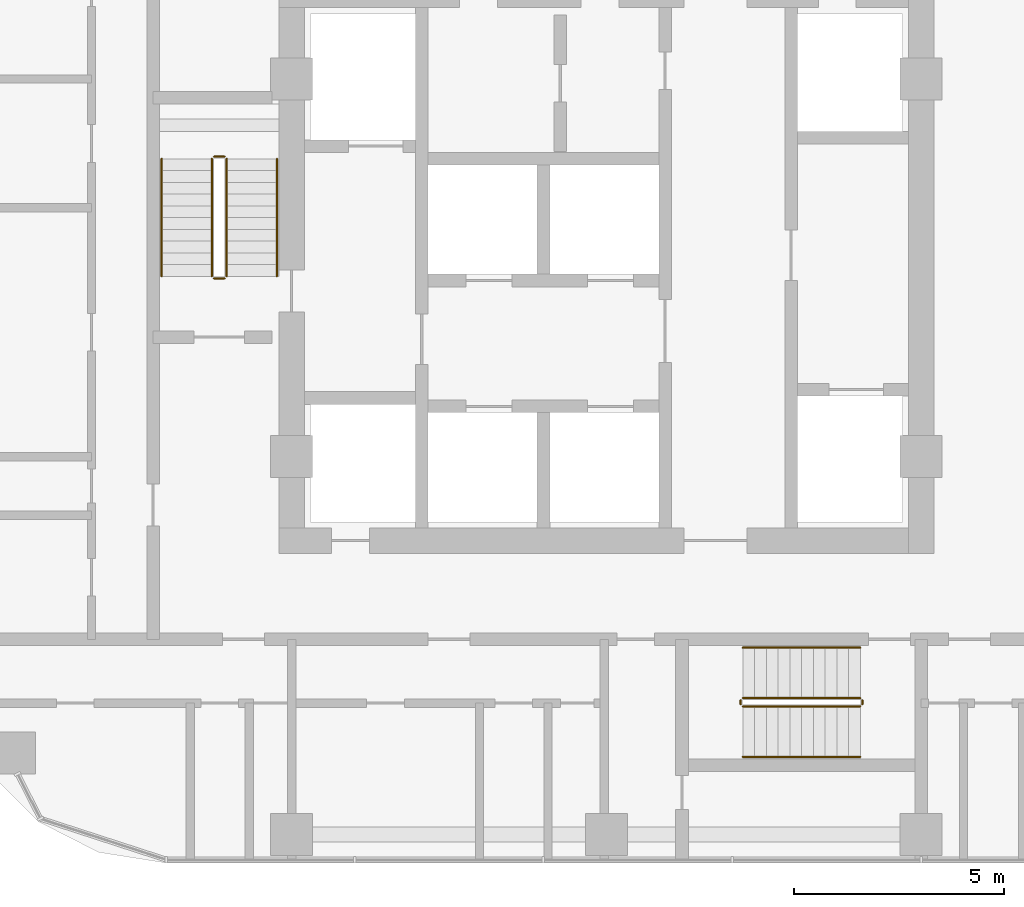
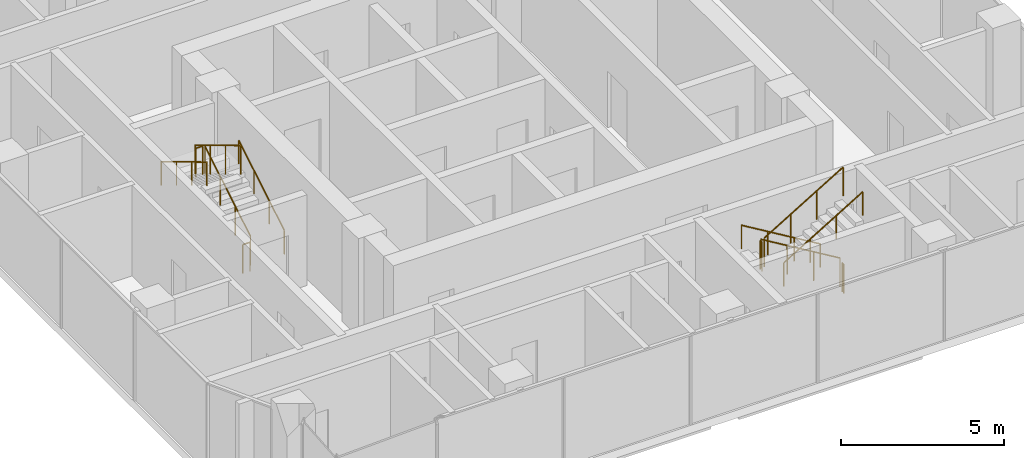
# One storey, part 31 of 31: 12 railings.
"""IFC4 building model written with IfcOpenShell, lengths in metres."""

from ifc_helpers import new_model, si_unit, direction, frame, origin, origin_2d, place, context, subcontext, project, spatial, circle, extrude, material, type_object, element, save


model = new_model("IFC4")

# Units and contexts
model_context = context("Model", 3, precision=1e-05, world=origin(), true_north=direction((0.0, 1.0)))
body_context = subcontext(model_context, "Body", "Model", "MODEL_VIEW")
ifc_project = project(units=[si_unit("LENGTHUNIT", "METRE"), si_unit("AREAUNIT", "SQUARE_METRE"), si_unit("VOLUMEUNIT", "CUBIC_METRE"), si_unit("PLANEANGLEUNIT", "RADIAN"), si_unit("MASSUNIT", "GRAM", prefix="KILO")], contexts=[model_context])

# Site, building, storey
site_placement = place(None, origin())
site = spatial("IfcSite", under=ifc_project, at=site_placement, CompositionType="ELEMENT")
building_placement = place(site_placement, origin())
building = spatial("IfcBuilding", under=site, at=building_placement, Name="Ogive Portal Towers", CompositionType="ELEMENT")
storey_placement = place(building_placement, frame((0.0, 0.0, 40.89990234375)))
storey = spatial("IfcBuildingStorey", under=building, at=storey_placement, Name="L08", CompositionType="ELEMENT", Elevation=40.89990234375)

# Railings
ifc_material_1 = material(Name="Stainless steel balustrade", Category="steel")
railing_type_1 = type_object("IfcRailingType", Name="INT-GUARD", PredefinedType="GUARDRAIL", material=ifc_material_1)
railing_1_placement = place(storey_placement, frame((127.449951171875, 30.800048828125, 0.168212890625)))
element("IfcRailing", 1, at=railing_1_placement, inside=storey, type_object=railing_type_1, Name="L08 ST-B1 stair guard 1", PredefinedType="GUARDRAIL", context=body_context, shape_type="SweptSolid", body=[
    extrude(circle(Radius=0.02392578125, at=origin_2d()), frame((0.0, 0.0, 1.076171875), z_axis=(0.0, 0.857242210791, 0.514913383045), x_axis=(-1.0, 0.0, 0.0)), (0.0, 0.0, 1.0), 3.266357421875),
    extrude(circle(Radius=0.02099609375, at=origin_2d()), origin(), (0.0, 0.0, 1.0), 1.052001953125),
    extrude(circle(Radius=0.02099609375, at=origin_2d()), frame((0.0, 0.933349609375, 0.560546875)), (0.0, 0.0, 1.0), 1.052001953125),
    extrude(circle(Radius=0.02099609375, at=origin_2d()), frame((0.0, 1.86669921875, 1.121337890625)), (0.0, 0.0, 1.0), 1.052001953125),
    extrude(circle(Radius=0.02099609375, at=origin_2d()), frame((0.0, 2.800048828125, 1.681884765625)), (0.0, 0.0, 1.0), 1.052001953125),
])
railing_2_placement = place(storey_placement, frame((127.39990234375, 33.64990234375, 1.85009765625)))
element("IfcRailing", 2, at=railing_2_placement, inside=storey, type_object=railing_type_1, Name="L08 ST-B1 stair guard 2", PredefinedType="GUARDRAIL", context=body_context, shape_type="SweptSolid", body=[
    extrude(circle(Radius=0.02392578125, at=origin_2d()), frame((0.0, 0.0, 1.076171875), z_axis=(-1.0, 0.0, 0.0), x_axis=(0.0, -1.0, 0.0)), (0.0, 0.0, 1.0), 0.25),
    extrude(circle(Radius=0.02099609375, at=origin_2d()), origin(), (0.0, 0.0, 1.0), 1.052001953125),
    extrude(circle(Radius=0.02099609375, at=origin_2d()), frame((-0.25, 0.0, 0.0)), (0.0, 0.0, 1.0), 1.052001953125),
])
railing_3_placement = place(storey_placement, frame((127.10009765625, 33.60009765625, 2.018310546875)))
element("IfcRailing", 3, at=railing_3_placement, inside=storey, type_object=railing_type_1, Name="L08 ST-B1 stair guard 3", PredefinedType="GUARDRAIL", context=body_context, shape_type="SweptSolid", body=[
    extrude(circle(Radius=0.02392578125, at=origin_2d()), frame((0.0, 0.0, 1.076171875), z_axis=(0.0, -0.857242210791, 0.514913383045), x_axis=(1.0, 0.0, 0.0)), (0.0, 0.0, 1.0), 3.266357421875),
    extrude(circle(Radius=0.02099609375, at=origin_2d()), origin(), (0.0, 0.0, 1.0), 1.052001953125),
    extrude(circle(Radius=0.02099609375, at=origin_2d()), frame((0.0, -0.933349609375, 0.560546875)), (0.0, 0.0, 1.0), 1.052001953125),
    extrude(circle(Radius=0.02099609375, at=origin_2d()), frame((0.0, -1.86669921875, 1.121337890625)), (0.0, 0.0, 1.0), 1.052001953125),
    extrude(circle(Radius=0.02099609375, at=origin_2d()), frame((0.0, -2.800048828125, 1.681884765625)), (0.0, 0.0, 1.0), 1.052001953125),
])
railing_4_placement = place(storey_placement, frame((127.39990234375, 30.75, 0.0)))
element("IfcRailing", 4, at=railing_4_placement, inside=storey, type_object=railing_type_1, Name="L08 ST-B1 stair guard 4", PredefinedType="GUARDRAIL", context=body_context, shape_type="SweptSolid", body=[
    extrude(circle(Radius=0.02392578125, at=origin_2d()), frame((0.0, 0.0, 1.076171875), z_axis=(-1.0, 0.0, 0.0), x_axis=(0.0, -1.0, 0.0)), (0.0, 0.0, 1.0), 0.25),
    extrude(circle(Radius=0.02099609375, at=origin_2d()), origin(), (0.0, 0.0, 1.0), 1.052001953125),
    extrude(circle(Radius=0.02099609375, at=origin_2d()), frame((-0.25, 0.0, 0.0)), (0.0, 0.0, 1.0), 1.052001953125),
])
railing_5_placement = place(storey_placement, frame((142.550048828125, 20.75, 0.168212890625)))
element("IfcRailing", 5, at=railing_5_placement, inside=storey, type_object=railing_type_1, Name="L08 ST-B2 stair guard 1", PredefinedType="GUARDRAIL", context=body_context, shape_type="SweptSolid", body=[
    extrude(circle(Radius=0.02392578125, at=origin_2d()), frame((0.0, 0.0, 1.076171875), z_axis=(-0.857242210791, 0.0, 0.514913383045), x_axis=(0.0, -1.0, 0.0)), (0.0, 0.0, 1.0), 3.266357421875),
    extrude(circle(Radius=0.02099609375, at=origin_2d()), origin(), (0.0, 0.0, 1.0), 1.052001953125),
    extrude(circle(Radius=0.02099609375, at=origin_2d()), frame((-0.933349609375, 0.0, 0.560546875)), (0.0, 0.0, 1.0), 1.052001953125),
    extrude(circle(Radius=0.02099609375, at=origin_2d()), frame((-1.86669921875, 0.0, 1.121337890625)), (0.0, 0.0, 1.0), 1.052001953125),
    extrude(circle(Radius=0.02099609375, at=origin_2d()), frame((-2.800048828125, 0.0, 1.681884765625)), (0.0, 0.0, 1.0), 1.052001953125),
])
railing_6_placement = place(storey_placement, frame((139.699951171875, 20.699951171875, 1.85009765625)))
element("IfcRailing", 6, at=railing_6_placement, inside=storey, type_object=railing_type_1, Name="L08 ST-B2 stair guard 2", PredefinedType="GUARDRAIL", context=body_context, shape_type="SweptSolid", body=[
    extrude(circle(Radius=0.02392578125, at=origin_2d()), frame((0.0, 0.0, 1.076171875), z_axis=(0.0, -1.0, 0.0), x_axis=(1.0, 0.0, 0.0)), (0.0, 0.0, 1.0), 0.099853515625),
    extrude(circle(Radius=0.02099609375, at=origin_2d()), origin(), (0.0, 0.0, 1.0), 1.052001953125),
    extrude(circle(Radius=0.02099609375, at=origin_2d()), frame((0.0, -0.099853515625, 0.0)), (0.0, 0.0, 1.0), 1.052001953125),
])
railing_7_placement = place(storey_placement, frame((139.75, 20.550048828125, 2.018310546875)))
element("IfcRailing", 7, at=railing_7_placement, inside=storey, type_object=railing_type_1, Name="L08 ST-B2 stair guard 3", PredefinedType="GUARDRAIL", context=body_context, shape_type="SweptSolid", body=[
    extrude(circle(Radius=0.02392578125, at=origin_2d()), frame((0.0, 0.0, 1.076171875), z_axis=(0.857242210791, 0.0, 0.514913383045), x_axis=(0.0, 1.0, 0.0)), (0.0, 0.0, 1.0), 3.266357421875),
    extrude(circle(Radius=0.02099609375, at=origin_2d()), origin(), (0.0, 0.0, 1.0), 1.052001953125),
    extrude(circle(Radius=0.02099609375, at=origin_2d()), frame((0.933349609375, 0.0, 0.560546875)), (0.0, 0.0, 1.0), 1.052001953125),
    extrude(circle(Radius=0.02099609375, at=origin_2d()), frame((1.86669921875, 0.0, 1.121337890625)), (0.0, 0.0, 1.0), 1.052001953125),
    extrude(circle(Radius=0.02099609375, at=origin_2d()), frame((2.800048828125, 0.0, 1.681884765625)), (0.0, 0.0, 1.0), 1.052001953125),
])
railing_8_placement = place(storey_placement, frame((142.60009765625, 20.699951171875, 0.0)))
element("IfcRailing", 8, at=railing_8_placement, inside=storey, type_object=railing_type_1, Name="L08 ST-B2 stair guard 4", PredefinedType="GUARDRAIL", context=body_context, shape_type="SweptSolid", body=[
    extrude(circle(Radius=0.02392578125, at=origin_2d()), frame((0.0, 0.0, 1.076171875), z_axis=(0.0, -1.0, 0.0), x_axis=(1.0, 0.0, 0.0)), (0.0, 0.0, 1.0), 0.099853515625),
    extrude(circle(Radius=0.02099609375, at=origin_2d()), origin(), (0.0, 0.0, 1.0), 1.052001953125),
    extrude(circle(Radius=0.02099609375, at=origin_2d()), frame((0.0, -0.099853515625, 0.0)), (0.0, 0.0, 1.0), 1.052001953125),
])
ifc_material_2 = material(Name="Stainless steel handrail", Category="steel")
railing_type_2 = type_object("IfcRailingType", Name="INT-HANDRAIL", PredefinedType="HANDRAIL", material=ifc_material_2)
railing_9_placement = place(storey_placement, frame((128.64990234375, 30.800048828125, 0.168212890625)))
element("IfcRailing", 9, at=railing_9_placement, inside=storey, type_object=railing_type_2, Name="L08 ST-B1 stair handrail 1", PredefinedType="HANDRAIL", context=body_context, shape_type="SweptSolid", body=[
    extrude(circle(Radius=0.02392578125, at=origin_2d()), frame((0.0, 0.0, 0.8759765625), z_axis=(0.0, 0.857242210791, 0.514913383045), x_axis=(-1.0, 0.0, 0.0)), (0.0, 0.0, 1.0), 3.266357421875),
    extrude(circle(Radius=0.02099609375, at=origin_2d()), origin(), (0.0, 0.0, 1.0), 0.851806640625),
    extrude(circle(Radius=0.02099609375, at=origin_2d()), frame((0.0, 0.933349609375, 0.560546875)), (0.0, 0.0, 1.0), 0.851806640625),
    extrude(circle(Radius=0.02099609375, at=origin_2d()), frame((0.0, 1.86669921875, 1.121337890625)), (0.0, 0.0, 1.0), 0.851806640625),
    extrude(circle(Radius=0.02099609375, at=origin_2d()), frame((0.0, 2.800048828125, 1.681884765625)), (0.0, 0.0, 1.0), 0.851806640625),
])
railing_10_placement = place(storey_placement, frame((125.89990234375, 33.60009765625, 2.018310546875)))
element("IfcRailing", 10, at=railing_10_placement, inside=storey, type_object=railing_type_2, Name="L08 ST-B1 stair handrail 2", PredefinedType="HANDRAIL", context=body_context, shape_type="SweptSolid", body=[
    extrude(circle(Radius=0.02392578125, at=origin_2d()), frame((0.0, 0.0, 0.8759765625), z_axis=(0.0, -0.857242210791, 0.514913383045), x_axis=(1.0, 0.0, 0.0)), (0.0, 0.0, 1.0), 3.266357421875),
    extrude(circle(Radius=0.02099609375, at=origin_2d()), origin(), (0.0, 0.0, 1.0), 0.851806640625),
    extrude(circle(Radius=0.02099609375, at=origin_2d()), frame((0.0, -0.933349609375, 0.560546875)), (0.0, 0.0, 1.0), 0.851806640625),
    extrude(circle(Radius=0.02099609375, at=origin_2d()), frame((0.0, -1.86669921875, 1.121337890625)), (0.0, 0.0, 1.0), 0.851806640625),
    extrude(circle(Radius=0.02099609375, at=origin_2d()), frame((0.0, -2.800048828125, 1.681884765625)), (0.0, 0.0, 1.0), 0.851806640625),
])
railing_11_placement = place(storey_placement, frame((142.550048828125, 21.949951171875, 0.168212890625)))
element("IfcRailing", 11, at=railing_11_placement, inside=storey, type_object=railing_type_2, Name="L08 ST-B2 stair handrail 1", PredefinedType="HANDRAIL", context=body_context, shape_type="SweptSolid", body=[
    extrude(circle(Radius=0.02392578125, at=origin_2d()), frame((0.0, 0.0, 0.8759765625), z_axis=(-0.857242210791, 0.0, 0.514913383045), x_axis=(0.0, -1.0, 0.0)), (0.0, 0.0, 1.0), 3.266357421875),
    extrude(circle(Radius=0.02099609375, at=origin_2d()), origin(), (0.0, 0.0, 1.0), 0.851806640625),
    extrude(circle(Radius=0.02099609375, at=origin_2d()), frame((-0.933349609375, 0.0, 0.560546875)), (0.0, 0.0, 1.0), 0.851806640625),
    extrude(circle(Radius=0.02099609375, at=origin_2d()), frame((-1.86669921875, 0.0, 1.121337890625)), (0.0, 0.0, 1.0), 0.851806640625),
    extrude(circle(Radius=0.02099609375, at=origin_2d()), frame((-2.800048828125, 0.0, 1.681884765625)), (0.0, 0.0, 1.0), 0.851806640625),
])
railing_12_placement = place(storey_placement, frame((139.75, 19.35009765625, 2.018310546875)))
element("IfcRailing", 12, at=railing_12_placement, inside=storey, type_object=railing_type_2, Name="L08 ST-B2 stair handrail 2", PredefinedType="HANDRAIL", context=body_context, shape_type="SweptSolid", body=[
    extrude(circle(Radius=0.02392578125, at=origin_2d()), frame((0.0, 0.0, 0.8759765625), z_axis=(0.857242210791, 0.0, 0.514913383045), x_axis=(0.0, 1.0, 0.0)), (0.0, 0.0, 1.0), 3.266357421875),
    extrude(circle(Radius=0.02099609375, at=origin_2d()), origin(), (0.0, 0.0, 1.0), 0.851806640625),
    extrude(circle(Radius=0.02099609375, at=origin_2d()), frame((0.933349609375, 0.0, 0.560546875)), (0.0, 0.0, 1.0), 0.851806640625),
    extrude(circle(Radius=0.02099609375, at=origin_2d()), frame((1.86669921875, 0.0, 1.121337890625)), (0.0, 0.0, 1.0), 0.851806640625),
    extrude(circle(Radius=0.02099609375, at=origin_2d()), frame((2.800048828125, 0.0, 1.681884765625)), (0.0, 0.0, 1.0), 0.851806640625),
])

save(model, "model.ifc")
